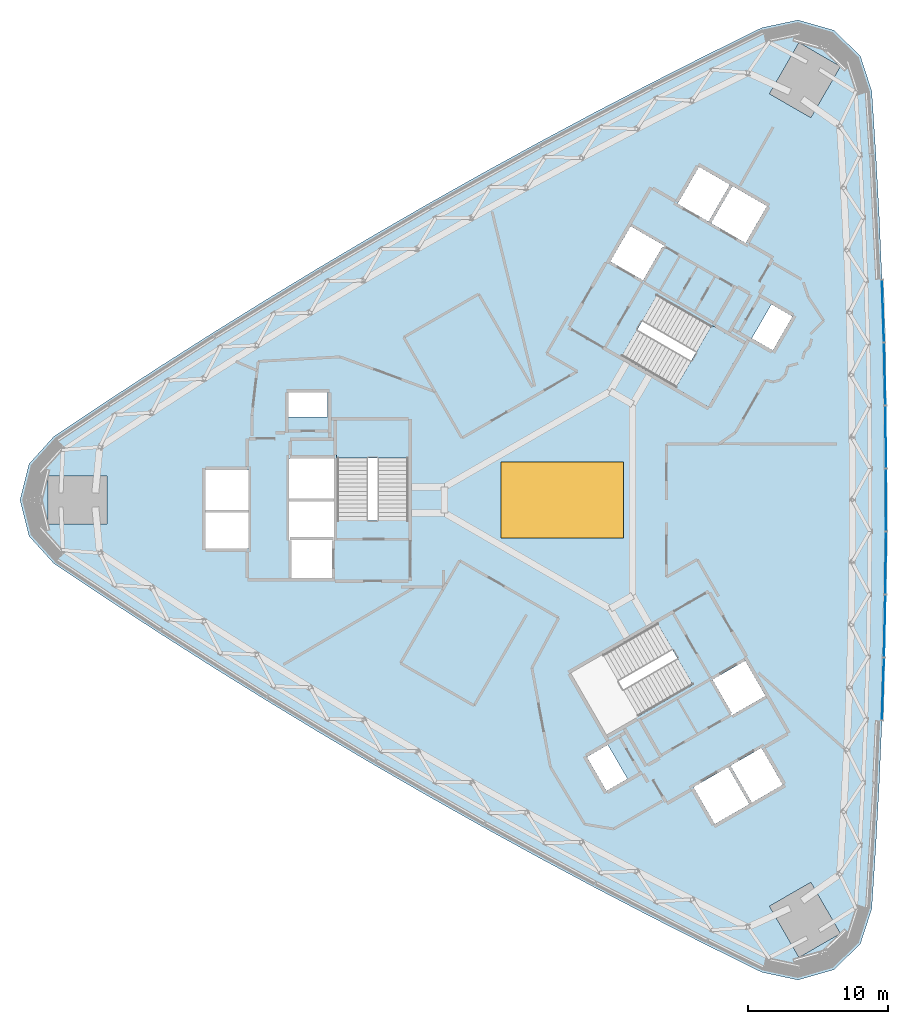
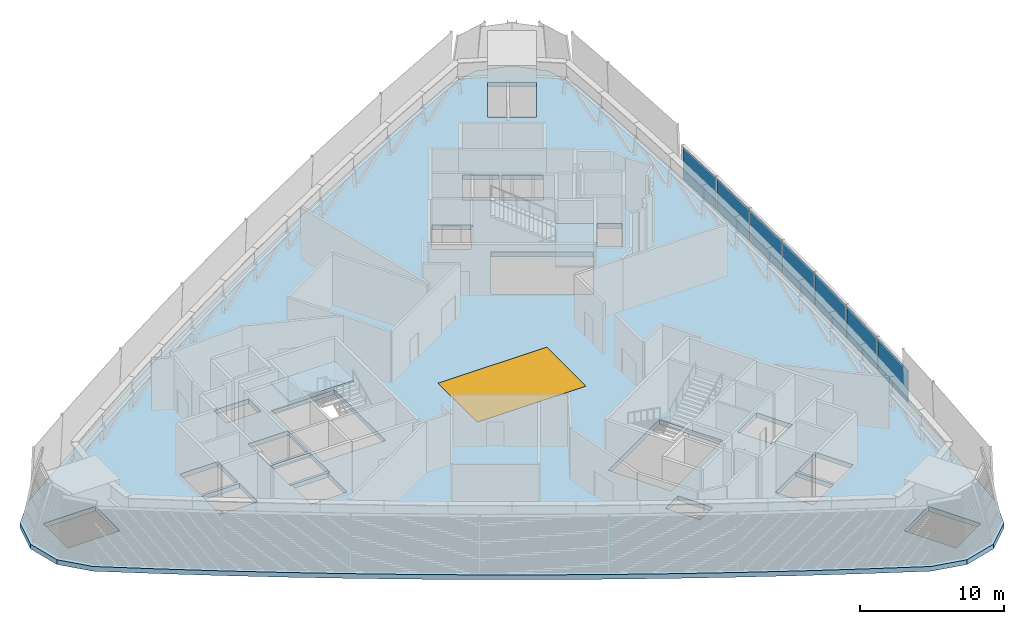
# One storey, part 5 of 19: 7 plates, 3 slabs, 1 window, 1 opening, 3 elements without a shape of their own.
"""IFC4 building model written with IfcOpenShell, lengths in metres."""

from ifc_helpers import new_model, si_unit, direction, frame, origin, origin_2d, place, context, subcontext, project, spatial, polyline, rectangle, outline, extrude, material, layer, layer_set, type_object, element, fill, aggregate, save


model = new_model("IFC4")

# Units and contexts
model_context = context("Model", 3, precision=1e-05, world=origin(), true_north=direction((0.0, 1.0)))
body_context = subcontext(model_context, "Body", "Model", "MODEL_VIEW")
ifc_project = project(units=[si_unit("LENGTHUNIT", "METRE"), si_unit("AREAUNIT", "SQUARE_METRE"), si_unit("VOLUMEUNIT", "CUBIC_METRE"), si_unit("PLANEANGLEUNIT", "RADIAN"), si_unit("MASSUNIT", "GRAM", prefix="KILO")], contexts=[model_context])

# Site, building, storey
site_placement = place(None, origin())
site = spatial("IfcSite", under=ifc_project, at=site_placement, CompositionType="ELEMENT")
building_placement = place(site_placement, origin())
building = spatial("IfcBuilding", under=site, at=building_placement, Name="Tamra Quay Hotel Tower", CompositionType="ELEMENT")
storey_placement = place(building_placement, frame((0.0, 0.0, 74.60009765625)))
storey = spatial("IfcBuildingStorey", under=building, at=storey_placement, Name="L17", CompositionType="ELEMENT", Elevation=74.60009765625)

# Stair, slab
ifc_material_1 = material(Name="Exit stair 2200 32 risers 150.0 going 299")
stair_type = type_object("IfcStairType", Name="Exit stair 2200 32 risers 150.0 going 299", PredefinedType="HALF_TURN_STAIR", material=ifc_material_1)
stair_1_placement = place(storey_placement, origin())
stair_1 = element("IfcStair", 1, at=stair_1_placement, inside=storey, type_object=stair_type, Name="L17 Exit stair ST3", PredefinedType="HALF_TURN_STAIR")
ifc_material_2 = material(Name="Concrete M70", Category="concrete")
ifc_layer_1 = layer(ifc_material_2, 0.175048828125)
ifc_layer_set_1 = layer_set([ifc_layer_1], Name="Concrete M70 stair landing 180")
slab_type_1 = type_object("IfcSlabType", Name="Concrete M70 stair landing 180", PredefinedType="LANDING", material=ifc_layer_set_1)
slab_1_placement = place(storey_placement, frame((0.0, 0.0, 2.224853515625)))
slab_1 = element("IfcSlab", 2, at=slab_1_placement, type_object=slab_type_1, Name="ST3 landing 1", PredefinedType="LANDING", context=body_context, shape_type="SweptSolid", body=[
    extrude(outline(polyline([(-10.932373046875, 2.98486328125), (-10.932373046875, 5.679931640625), (-16.09130859375, 5.679931640625), (-16.09130859375, 2.98486328125), (-10.932373046875, 2.98486328125)])), origin(), (0.0, 0.0, 1.0), 0.175048828125),
])
aggregate(stair_1, [slab_1])

stair_2_placement = place(storey_placement, origin())
stair_2 = element("IfcStair", 3, at=stair_2_placement, inside=storey, type_object=stair_type, Name="L17 Exit stair ST1", PredefinedType="HALF_TURN_STAIR")
slab_2_placement = place(storey_placement, frame((0.0, 0.0, 2.224853515625)))
slab_2 = element("IfcSlab", 4, at=slab_2_placement, type_object=slab_type_1, Name="ST1 landing 1", PredefinedType="LANDING", context=body_context, shape_type="SweptSolid", body=[
    extrude(outline(polyline([(8.051025390625, 7.97509765625), (10.385009765625, 6.627685546875), (12.964599609375, 11.095458984375), (10.630615234375, 12.443115234375), (8.051025390625, 7.97509765625)])), origin(), (0.0, 0.0, 1.0), 0.175048828125),
])
aggregate(stair_2, [slab_2])

# Slab, opening, window
ifc_material_3 = material(Name="Concrete M60", Category="concrete")
ifc_layer_2 = layer(ifc_material_3, 0.39990234375)
ifc_layer_set_2 = layer_set([ifc_layer_2], Name="FLOOR SLAB PT 400")
slab_type_2 = type_object("IfcSlabType", Name="FLOOR SLAB PT 400", PredefinedType="FLOOR", material=ifc_layer_set_2)
slab_3_placement = place(storey_placement, frame((0.0, 0.0, -0.400146484375)))
slab_3 = element("IfcSlab", 5, at=slab_3_placement, inside=storey, type_object=slab_type_2, Name="SLAB-L17", PredefinedType="FLOOR", context=body_context, shape_type="SweptSolid", body=[
    extrude(outline(polyline([(22.316650390625, 24.64111328125), (22.55908203125, 20.16455078125), (22.753173828125, 15.68603515625), (22.898681640625, 11.205810546875), (22.99560546875, 6.723876953125), (23.044189453125, 2.2412109375), (23.044189453125, -2.2412109375), (22.99560546875, -6.723876953125), (22.898681640625, -11.205810546875), (22.753173828125, -15.68603515625), (22.55908203125, -20.16455078125), (22.316650390625, -24.64111328125), (22.026123046875, -29.114013671875), (21.211181640625, -31.621826171875), (19.314453125, -33.45361328125), (16.77978515625, -34.180419921875), (14.200439453125, -33.63232421875), (10.181396484375, -31.647216796875), (6.18359375, -29.618896484375), (2.2080078125, -27.5478515625), (-1.744873046875, -25.43359375), (-5.6748046875, -23.27685546875), (-9.5810546875, -21.07763671875), (-13.463134765625, -18.836181640625), (-17.32080078125, -16.552978515625), (-21.15380859375, -14.227783203125), (-24.961181640625, -11.86181640625), (-28.742431640625, -9.454345703125), (-32.498046875, -7.00634765625), (-36.2265625, -4.518310546875), (-37.990966796875, -2.55859375), (-38.62890625, 0.0), (-37.990966796875, 2.55859375), (-36.2265625, 4.518310546875), (-32.498046875, 7.00634765625), (-28.742431640625, 9.454345703125), (-24.961181640625, 11.86181640625), (-21.15380859375, 14.227783203125), (-17.32080078125, 16.552978515625), (-13.463134765625, 18.836181640625), (-9.5810546875, 21.07763671875), (-5.6748046875, 23.27685546875), (-1.744873046875, 25.43359375), (2.2080078125, 27.5478515625), (6.18359375, 29.618896484375), (10.181396484375, 31.647216796875), (14.200439453125, 33.63232421875), (16.77978515625, 34.180419921875), (19.314453125, 33.45361328125), (21.211181640625, 31.621826171875), (22.026123046875, 29.114013671875), (22.316650390625, 24.64111328125)]), holes=[polyline([(4.631103515625, -19.851318359375), (3.236083984375, -17.43505859375), (1.73779296875, -18.300048828125), (3.1328125, -20.71630859375), (4.631103515625, -19.851318359375)]), polyline([(0.622314453125, -12.32763671875), (3.146728515625, -16.7001953125), (9.2783203125, -13.160400390625), (6.75390625, -8.78759765625), (0.622314453125, -12.32763671875)]), polyline([(-19.4072265625, -2.89306640625), (-19.307373046875, -2.89306640625), (-19.307373046875, -5.544921875), (-16.417236328125, -5.544921875), (-16.417236328125, -2.89306640625), (-16.3173828125, -2.89306640625), (-16.3173828125, -2.85498046875), (-19.4072265625, -2.85498046875), (-19.4072265625, -2.89306640625)]), polyline([(-22.3671875, -0.905029296875), (-25.4072265625, -0.905029296875), (-25.4072265625, -3.445068359375), (-22.3671875, -3.445068359375), (-22.3671875, -0.905029296875)]), polyline([(-19.417236328125, -2.64501953125), (-16.307373046875, -2.64501953125), (-16.307373046875, -2.89306640625), (-16.26708984375, -2.89306640625), (-16.26708984375, -0.10498046875), (-19.45751953125, -0.10498046875), (-19.45751953125, -2.89306640625), (-19.417236328125, -2.89306640625), (-19.417236328125, -2.64501953125)]), polyline([(-36.621337890625, -1.699951171875), (-32.42138671875, -1.699951171875), (-32.42138671875, 1.699951171875), (-36.621337890625, 1.699951171875), (-36.621337890625, -1.699951171875)]), polyline([(-22.3671875, 2.14501953125), (-25.4072265625, 2.14501953125), (-25.4072265625, -0.695068359375), (-22.3671875, -0.695068359375), (-22.3671875, 2.14501953125)]), polyline([(-16.26708984375, 2.945068359375), (-19.45751953125, 2.945068359375), (-19.45751953125, 0.10498046875), (-16.26708984375, 0.10498046875), (-16.26708984375, 2.945068359375)]), polyline([(-10.9873046875, -1.455078125), (-10.9873046875, 5.625), (-16.036376953125, 5.625), (-16.036376953125, -1.455078125), (-10.9873046875, -1.455078125)]), polyline([(-19.50732421875, 7.64501953125), (-19.50732421875, 5.9150390625), (-16.71728515625, 5.9150390625), (-16.71728515625, 7.64501953125), (-19.50732421875, 7.64501953125)]), polyline([(19.78271484375, -30.864990234375), (17.682861328125, -27.2275390625), (14.73828125, -28.927490234375), (16.83837890625, -32.56494140625), (19.78271484375, -30.864990234375)]), polyline([(9.325927734375, -20.443115234375), (10.845947265625, -23.075927734375), (13.3056640625, -21.65576171875), (11.78564453125, -19.02294921875), (9.325927734375, -20.443115234375)]), polyline([(13.487548828125, -21.55078125), (15.68701171875, -20.281005859375), (14.1669921875, -17.648193359375), (11.96728515625, -18.91796875), (13.487548828125, -21.55078125)]), polyline([(12.05615234375, -15.171875), (11.969482421875, -15.2216796875), (12.03955078125, -15.343017578125), (14.455810546875, -13.947998046875), (13.0107421875, -11.4453125), (10.68115234375, -12.790283203125), (12.05615234375, -15.171875)]), polyline([(4.2333984375, 10.242919921875), (10.364990234375, 6.702880859375), (12.889404296875, 11.075439453125), (6.758056640625, 14.615478515625), (4.2333984375, 10.242919921875)]), polyline([(14.876220703125, 13.936279296875), (13.481201171875, 11.52001953125), (14.9794921875, 10.655029296875), (16.37451171875, 13.0712890625), (14.876220703125, 13.936279296875)]), polyline([(7.19775390625, 17.976806640625), (7.267578125, 18.09814453125), (4.8515625, 19.4931640625), (3.406494140625, 16.990234375), (5.736083984375, 15.645263671875), (7.111083984375, 18.02685546875), (7.19775390625, 17.976806640625)]), polyline([(13.041259765625, 18.298095703125), (14.561279296875, 20.930908203125), (12.101806640625, 22.350830078125), (10.58154296875, 19.718017578125), (13.041259765625, 18.298095703125)]), polyline([(10.39990234375, 19.822998046875), (11.919921875, 22.455810546875), (9.72021484375, 23.725830078125), (8.2001953125, 21.093017578125), (10.39990234375, 19.822998046875)]), polyline([(19.78271484375, 30.864990234375), (16.83837890625, 32.56494140625), (14.73828125, 28.927490234375), (17.682861328125, 27.2275390625), (19.78271484375, 30.864990234375)])]), origin(), (0.0, 0.0, 1.0), 0.400146484375),
])
opening_placement = place(slab_3_placement, origin())
opening = element("IfcOpeningElement", 6, at=opening_placement, cuts=slab_3, Name="Opening SK1-8720", PredefinedType="OPENING", context=body_context, shape_type="SweptSolid", body=[
    extrude(rectangle(XDim=8.719970703125, YDim=5.43994140625, at=origin_2d()), origin(), (0.0, 0.0, 1.0), 0.400146484375),
])
ifc_material_4 = material(Name="Fire-rated laminated glass in steel frame", Category="steel")
window_type = type_object("IfcWindowType", Name="ATRIUM SKYLIGHT 8720X5440", PartitioningType="SINGLE_PANEL", PredefinedType="SKYLIGHT", material=ifc_material_4)
window_placement = place(opening_placement, frame((0.0, 0.0, 0.35009765625)))
window = element("IfcWindow", 7, at=window_placement, inside=storey, type_object=window_type, Name="SK1-8720", OverallHeight=5.43994140625, OverallWidth=8.719970703125, PartitioningType="SINGLE_PANEL", PredefinedType="SKYLIGHT", context=body_context, shape_type="SweptSolid", body=[
    extrude(rectangle(XDim=8.719970703125, YDim=5.43994140625, at=origin_2d()), origin(), (0.0, 0.0, 1.0), 0.050048828125),
])
fill(opening, window)

# Curtain wall, plates
ifc_material_5 = material(Name="Aluminium 6063 anodised dark grey", Category="aluminium")
curtain_wall_type = type_object("IfcCurtainWallType", Name="CW1 CURTAIN WALL", PredefinedType="NOTDEFINED", material=ifc_material_5)
curtain_wall_placement = place(storey_placement, origin())
curtain_wall = element("IfcCurtainWall", 8, at=curtain_wall_placement, inside=storey, type_object=curtain_wall_type, Name="CW1 east face L17", PredefinedType="NOTDEFINED")
ifc_material_6 = material(Name="Terracotta cladding panel on aluminium frame", Category="masonry")
ifc_layer_3 = layer(ifc_material_6, 0.035888671875)
ifc_layer_set_3 = layer_set([ifc_layer_3], Name="SOLID PANEL CW1 Z1")
plate_type = type_object("IfcPlateType", Name="SOLID PANEL CW1 Z1", PredefinedType="CURTAIN_PANEL", material=ifc_layer_set_3)
plate_1_placement = place(storey_placement, frame((22.825927734375, -13.446044921875, 0.0), z_axis=(0.0, 0.0, 1.0), x_axis=(0.032474580373, 0.999472561719, 0.0)))
plate_1 = element("IfcPlate", 9, at=plate_1_placement, type_object=plate_type, Name="CW1 solid panel L17.E.1", PredefinedType="CURTAIN_PANEL", context=body_context, shape_type="SweptSolid", body=[
    extrude(rectangle(XDim=4.382568359375, YDim=0.035888671875, at=origin_2d()), origin(), (0.0, 0.0, 1.0), 2.735107421875),
])
plate_2_placement = place(storey_placement, frame((22.947265625, -8.96484375, 0.0), z_axis=(0.0, 0.0, 1.0), x_axis=(0.02165780519, 0.999765442228, 0.0)))
plate_2 = element("IfcPlate", 10, at=plate_2_placement, type_object=plate_type, Name="CW1 solid panel L17.E.2", PredefinedType="CURTAIN_PANEL", context=body_context, shape_type="SweptSolid", body=[
    extrude(rectangle(XDim=4.383056640625, YDim=0.035888671875, at=origin_2d()), origin(), (0.0, 0.0, 1.0), 2.735107421875),
])
plate_3_placement = place(storey_placement, frame((23.02001953125, -4.482666015625, 0.0), z_axis=(0.0, 0.0, 1.0), x_axis=(0.010836729007, 0.999941280928, 0.0)))
plate_3 = element("IfcPlate", 11, at=plate_3_placement, type_object=plate_type, Name="CW1 solid panel L17.E.3", PredefinedType="CURTAIN_PANEL", context=body_context, shape_type="SweptSolid", body=[
    extrude(rectangle(XDim=4.382568359375, YDim=0.035888671875, at=origin_2d()), origin(), (0.0, 0.0, 1.0), 2.735107421875),
])
plate_4_placement = place(storey_placement, frame((23.04443359375, 0.0, 0.0), z_axis=(0.0, 0.0, 1.0), x_axis=(0.0, 1.0, 0.0)))
plate_4 = element("IfcPlate", 12, at=plate_4_placement, type_object=plate_type, Name="CW1 solid panel L17.E.4", PredefinedType="CURTAIN_PANEL", context=body_context, shape_type="SweptSolid", body=[
    extrude(rectangle(XDim=4.382568359375, YDim=0.035888671875, at=origin_2d()), origin(), (0.0, 0.0, 1.0), 2.735107421875),
])
plate_5_placement = place(storey_placement, frame((23.02001953125, 4.482666015625, 0.0), z_axis=(0.0, 0.0, 1.0), x_axis=(-0.010836729007, 0.999941280928, 0.0)))
plate_5 = element("IfcPlate", 13, at=plate_5_placement, type_object=plate_type, Name="CW1 solid panel L17.E.5", PredefinedType="CURTAIN_PANEL", context=body_context, shape_type="SweptSolid", body=[
    extrude(rectangle(XDim=4.382568359375, YDim=0.035888671875, at=origin_2d()), origin(), (0.0, 0.0, 1.0), 2.735107421875),
])
plate_6_placement = place(storey_placement, frame((22.947265625, 8.96484375, 0.0), z_axis=(0.0, 0.0, 1.0), x_axis=(-0.02165780519, 0.999765442228, 0.0)))
plate_6 = element("IfcPlate", 14, at=plate_6_placement, type_object=plate_type, Name="CW1 solid panel L17.E.6", PredefinedType="CURTAIN_PANEL", context=body_context, shape_type="SweptSolid", body=[
    extrude(rectangle(XDim=4.383056640625, YDim=0.035888671875, at=origin_2d()), origin(), (0.0, 0.0, 1.0), 2.735107421875),
])
plate_7_placement = place(storey_placement, frame((22.825927734375, 13.446044921875, 0.0), z_axis=(0.0, 0.0, 1.0), x_axis=(-0.032474580373, 0.999472561719, 0.0)))
plate_7 = element("IfcPlate", 15, at=plate_7_placement, type_object=plate_type, Name="CW1 solid panel L17.E.7", PredefinedType="CURTAIN_PANEL", context=body_context, shape_type="SweptSolid", body=[
    extrude(rectangle(XDim=4.382568359375, YDim=0.035888671875, at=origin_2d()), origin(), (0.0, 0.0, 1.0), 2.735107421875),
])
aggregate(curtain_wall, [plate_1, plate_2, plate_3, plate_4, plate_5, plate_6, plate_7])

save(model, "model.ifc")
